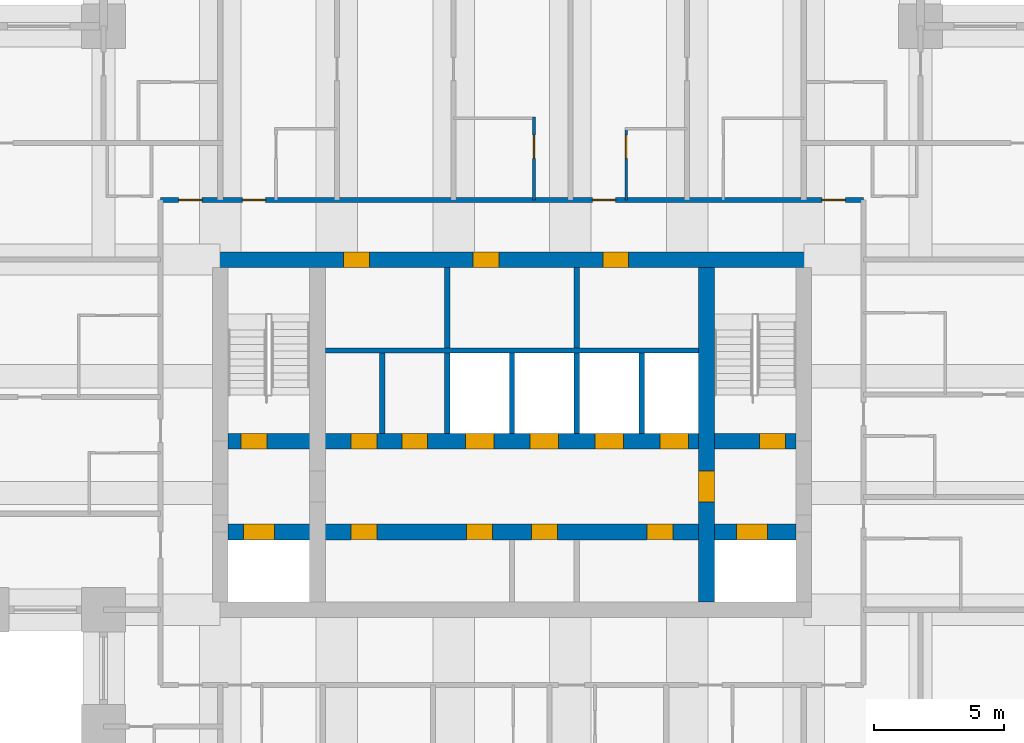
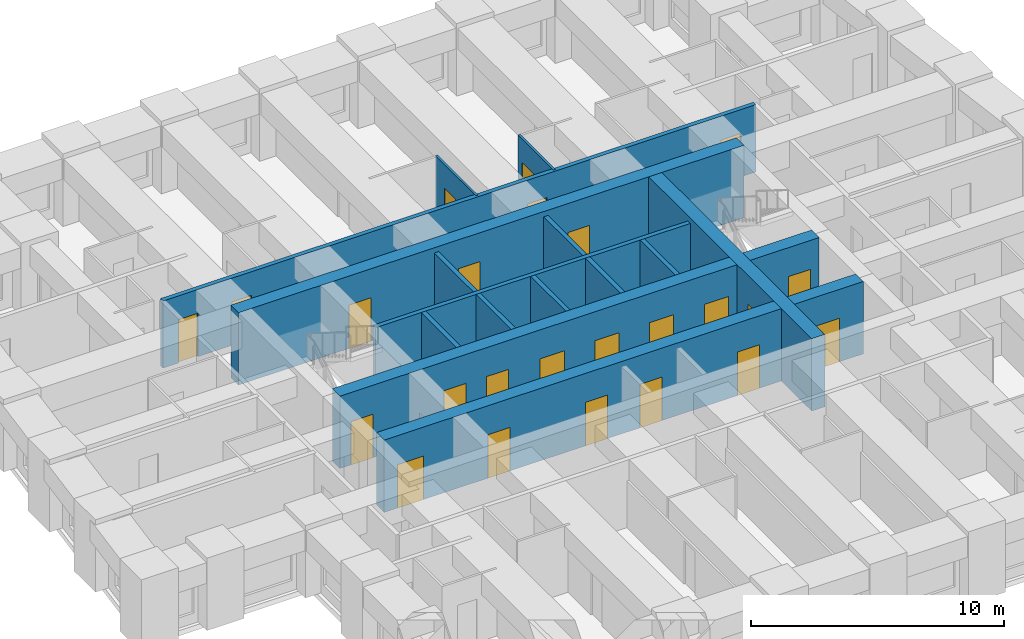
# One storey, part 4 of 8: 24 doors, 15 walls, 24 openings.
"""IFC4 building model written with IfcOpenShell, lengths in metres."""

from ifc_helpers import new_model, si_unit, direction, frame, frame_2d, origin, place, context, subcontext, project, spatial, rectangle, extrude, material, layer, layer_set, type_object, element, fill, save


model = new_model("IFC4")

# Units and contexts
model_context = context("Model", 3, precision=1e-05, world=origin(), true_north=direction((0.0, 1.0)))
body_context = subcontext(model_context, "Body", "Model", "MODEL_VIEW")
ifc_project = project(units=[si_unit("LENGTHUNIT", "METRE"), si_unit("AREAUNIT", "SQUARE_METRE"), si_unit("VOLUMEUNIT", "CUBIC_METRE"), si_unit("PLANEANGLEUNIT", "RADIAN"), si_unit("MASSUNIT", "GRAM", prefix="KILO")], contexts=[model_context])

# Site, building, storey
site_placement = place(None, origin())
site = spatial("IfcSite", under=ifc_project, at=site_placement, CompositionType="ELEMENT")
building_placement = place(site_placement, origin())
building = spatial("IfcBuilding", under=site, at=building_placement, Name="Kilele Tower Hotel", CompositionType="ELEMENT")
storey_placement = place(building_placement, frame((0.0, 0.0, 204.39990234375)))
storey = spatial("IfcBuildingStorey", under=building, at=storey_placement, Name="L53", CompositionType="ELEMENT", Elevation=204.39990234375)

# Wall, opening, door
ifc_material_1 = material(Name="Moisture-resistant board")
ifc_layer_1 = layer(ifc_material_1, 0.10009765625)
ifc_layer_set_1 = layer_set([ifc_layer_1], Name="Moisture-resistant board")
wall_type_1 = type_object("IfcWallType", Name="Bathroom partition 100", PredefinedType="PLUMBINGWALL", material=ifc_layer_set_1)
wall_1_placement = place(storey_placement, frame((25.60009765625, 29.300048828125, 0.0), z_axis=(0.0, 0.0, 1.0), x_axis=(0.0, 1.0, 0.0)))
wall_1 = element("IfcWall", 1, at=wall_1_placement, inside=storey, type_object=wall_type_1, Name="Bathroom partition 100 L53", PredefinedType="PLUMBINGWALL", context=body_context, shape_type="SweptSolid", body=[
    extrude(rectangle(XDim=3.199951171875, YDim=0.10009765625, at=frame_2d((1.60009765625, 0.0))), origin(), (0.0, 0.0, 1.0), 3.25),
])
opening_1_placement = place(wall_1_placement, frame((2.5, 0.0, 0.0), z_axis=(0.0, 0.0, 1.0), x_axis=(-1.0, 0.0, 0.0)))
opening_1 = element("IfcOpeningElement", 2, at=opening_1_placement, cuts=wall_1, Name="Opening D2A", PredefinedType="OPENING", context=body_context, shape_type="SweptSolid", body=[
    extrude(rectangle(XDim=0.89990234375, YDim=2.10009765625, at=frame_2d((0.449951171875, 1.050048828125))), frame((0.0, 0.06005859375, 0.0), z_axis=(0.0, -1.0, 0.0), x_axis=(1.0, 0.0, 0.0)), (0.0, 0.0, 1.0), 0.1201171875),
])
ifc_material_2 = material(Name="Timber door leaf in hardwood frame", Category="wood")
door_type_1 = type_object("IfcDoorType", Name="Bathroom door 900", OperationType="SINGLE_SWING_LEFT", PredefinedType="DOOR", material=ifc_material_2)
door_1_placement = place(opening_1_placement, origin())
door_1 = element("IfcDoor", 3, at=door_1_placement, inside=storey, type_object=door_type_1, Name="Bathroom door 5311B", OperationType="SINGLE_SWING_RIGHT", OverallHeight=2.10009765625, OverallWidth=0.89990234375, PredefinedType="DOOR", context=body_context, shape_type="SweptSolid", body=[
    extrude(rectangle(XDim=0.89990234375, YDim=2.10009765625, at=frame_2d((0.449951171875, 1.050048828125))), frame((0.0, 0.02490234375, 0.0), z_axis=(0.0, -1.0, 0.0), x_axis=(1.0, 0.0, 0.0)), (0.0, 0.0, 1.0), 0.050048828125),
])
fill(opening_1, door_1)

wall_2_placement = place(storey_placement, frame((29.14990234375, 29.300048828125, 0.0), z_axis=(0.0, 0.0, 1.0), x_axis=(0.0, 1.0, 0.0)))
wall_2 = element("IfcWall", 4, at=wall_2_placement, inside=storey, type_object=wall_type_1, Name="Bathroom partition 100 L53", PredefinedType="PLUMBINGWALL", context=body_context, shape_type="SweptSolid", body=[
    extrude(rectangle(XDim=2.800048828125, YDim=0.10009765625, at=frame_2d((1.39990234375, 0.0))), origin(), (0.0, 0.0, 1.0), 3.25),
])
opening_2_placement = place(wall_2_placement, frame((1.60009765625, 0.0, 0.0)))
opening_2 = element("IfcOpeningElement", 5, at=opening_2_placement, cuts=wall_2, Name="Opening D2A", PredefinedType="OPENING", context=body_context, shape_type="SweptSolid", body=[
    extrude(rectangle(XDim=0.89990234375, YDim=2.10009765625, at=frame_2d((0.449951171875, 1.050048828125))), frame((0.0, 0.06005859375, 0.0), z_axis=(0.0, -1.0, 0.0), x_axis=(1.0, 0.0, 0.0)), (0.0, 0.0, 1.0), 0.1201171875),
])
door_2_placement = place(opening_2_placement, origin())
door_2 = element("IfcDoor", 6, at=door_2_placement, inside=storey, type_object=door_type_1, Name="Bathroom door 5312B", OperationType="SINGLE_SWING_LEFT", OverallHeight=2.10009765625, OverallWidth=0.89990234375, PredefinedType="DOOR", context=body_context, shape_type="SweptSolid", body=[
    extrude(rectangle(XDim=0.89990234375, YDim=2.10009765625, at=frame_2d((0.449951171875, 1.050048828125))), frame((0.0, 0.02490234375, 0.0), z_axis=(0.0, -1.0, 0.0), x_axis=(1.0, 0.0, 0.0)), (0.0, 0.0, 1.0), 0.050048828125),
])
fill(opening_2, door_2)

# Wall, openings, doors
ifc_material_3 = material(Name="Concrete C70/85", Category="concrete")
ifc_layer_2 = layer(ifc_material_3, 0.60009765625)
ifc_layer_set_2 = layer_set([ifc_layer_2], Name="Concrete C70/85")
wall_type_2 = type_object("IfcWallType", Name="Core wall 600 C70/85", PredefinedType="SHEAR", material=ifc_layer_set_2)
wall_3_placement = place(storey_placement, frame((36.300048828125, 27.0, 0.0), z_axis=(0.0, 0.0, 1.0), x_axis=(-1.0, 0.0, 0.0)))
wall_3 = element("IfcWall", 7, at=wall_3_placement, inside=storey, type_object=wall_type_2, Name="Core wall N L53", PredefinedType="SHEAR", context=body_context, shape_type="SweptSolid", body=[
    extrude(rectangle(XDim=23.10009765625, YDim=0.60009765625, at=frame_2d((11.550048828125, 0.0))), origin(), (0.0, 0.0, 1.0), 3.5),
])
opening_3_placement = place(wall_3_placement, frame((17.050048828125, 0.0, 0.0)))
opening_3 = element("IfcOpeningElement", 8, at=opening_3_placement, cuts=wall_3, Name="Opening D6", PredefinedType="OPENING", context=body_context, shape_type="SweptSolid", body=[
    extrude(rectangle(XDim=1.0, YDim=2.10009765625, at=frame_2d((0.5, 1.050048828125))), frame((0.0, 0.31005859375, 0.0), z_axis=(0.0, -1.0, 0.0), x_axis=(1.0, 0.0, 0.0)), (0.0, 0.0, 1.0), 0.6201171875),
])
opening_4_placement = place(wall_3_placement, frame((12.050048828125, 0.0, 0.0)))
opening_4 = element("IfcOpeningElement", 9, at=opening_4_placement, cuts=wall_3, Name="Opening D6", PredefinedType="OPENING", context=body_context, shape_type="SweptSolid", body=[
    extrude(rectangle(XDim=1.0, YDim=2.10009765625, at=frame_2d((0.5, 1.050048828125))), frame((0.0, 0.31005859375, 0.0), z_axis=(0.0, -1.0, 0.0), x_axis=(1.0, 0.0, 0.0)), (0.0, 0.0, 1.0), 0.6201171875),
])
opening_5_placement = place(wall_3_placement, frame((7.050048828125, 0.0, 0.0)))
opening_5 = element("IfcOpeningElement", 10, at=opening_5_placement, cuts=wall_3, Name="Opening D6", PredefinedType="OPENING", context=body_context, shape_type="SweptSolid", body=[
    extrude(rectangle(XDim=1.0, YDim=2.10009765625, at=frame_2d((0.5, 1.050048828125))), frame((0.0, 0.31005859375, 0.0), z_axis=(0.0, -1.0, 0.0), x_axis=(1.0, 0.0, 0.0)), (0.0, 0.0, 1.0), 0.6201171875),
])
ifc_material_4 = material(Name="Timber door leaf in hardwood frame", Category="wood")
door_type_2 = type_object("IfcDoorType", Name="Riser door 1000", OperationType="SINGLE_SWING_LEFT", PredefinedType="DOOR", material=ifc_material_4)
door_3_placement = place(opening_3_placement, origin())
door_3 = element("IfcDoor", 11, at=door_3_placement, inside=storey, type_object=door_type_2, Name="Service riser door L53", OperationType="SINGLE_SWING_RIGHT", OverallHeight=2.10009765625, OverallWidth=1.0, PredefinedType="DOOR", context=body_context, shape_type="SweptSolid", body=[
    extrude(rectangle(XDim=1.0, YDim=2.10009765625, at=frame_2d((0.5, 1.050048828125))), frame((0.0, 0.2998046875, 0.0), z_axis=(0.0, -1.0, 0.0), x_axis=(1.0, 0.0, 0.0)), (0.0, 0.0, 1.0), 0.599609375),
])
fill(opening_3, door_3)
door_4_placement = place(opening_4_placement, origin())
door_4 = element("IfcDoor", 12, at=door_4_placement, inside=storey, type_object=door_type_2, Name="Housekeeping store door L53", OperationType="SINGLE_SWING_RIGHT", OverallHeight=2.10009765625, OverallWidth=1.0, PredefinedType="DOOR", context=body_context, shape_type="SweptSolid", body=[
    extrude(rectangle(XDim=1.0, YDim=2.10009765625, at=frame_2d((0.5, 1.050048828125))), frame((0.0, 0.2998046875, 0.0), z_axis=(0.0, -1.0, 0.0), x_axis=(1.0, 0.0, 0.0)), (0.0, 0.0, 1.0), 0.599609375),
])
fill(opening_4, door_4)
door_5_placement = place(opening_5_placement, origin())
door_5 = element("IfcDoor", 13, at=door_5_placement, inside=storey, type_object=door_type_2, Name="Electrical riser door L53", OperationType="SINGLE_SWING_RIGHT", OverallHeight=2.10009765625, OverallWidth=1.0, PredefinedType="DOOR", context=body_context, shape_type="SweptSolid", body=[
    extrude(rectangle(XDim=1.0, YDim=2.10009765625, at=frame_2d((0.5, 1.050048828125))), frame((0.0, 0.2998046875, 0.0), z_axis=(0.0, -1.0, 0.0), x_axis=(1.0, 0.0, 0.0)), (0.0, 0.0, 1.0), 0.599609375),
])
fill(opening_5, door_5)

# Wall, opening, door
wall_4_placement = place(storey_placement, frame((32.25, 13.800048828125, 0.0), z_axis=(0.0, 0.0, 1.0), x_axis=(0.0, 1.0, 0.0)))
wall_4 = element("IfcWall", 14, at=wall_4_placement, inside=storey, type_object=wall_type_2, Name="Core wall IE L53", PredefinedType="SHEAR", context=body_context, shape_type="SweptSolid", body=[
    extrude(rectangle(XDim=12.89990234375, YDim=0.60009765625, at=frame_2d((6.449951171875, 0.0))), origin(), (0.0, 0.0, 1.0), 3.5),
])
opening_6_placement = place(wall_4_placement, frame((5.050048828125, 0.0, 0.0), z_axis=(0.0, 0.0, 1.0), x_axis=(-1.0, 0.0, 0.0)))
opening_6 = element("IfcOpeningElement", 15, at=opening_6_placement, cuts=wall_4, Name="Opening D4", PredefinedType="OPENING", context=body_context, shape_type="SweptSolid", body=[
    extrude(rectangle(XDim=1.199951171875, YDim=2.10009765625, at=frame_2d((0.60009765625, 1.050048828125))), frame((0.0, 0.31005859375, 0.0), z_axis=(0.0, -1.0, 0.0), x_axis=(1.0, 0.0, 0.0)), (0.0, 0.0, 1.0), 0.6201171875),
])
ifc_material_5 = material(Name="Timber door leaf in hardwood frame", Category="wood")
door_type_3 = type_object("IfcDoorType", Name="Firefighting lobby door 1200", OperationType="SINGLE_SWING_LEFT", PredefinedType="DOOR", material=ifc_material_5)
door_6_placement = place(opening_6_placement, origin())
door_6 = element("IfcDoor", 16, at=door_6_placement, inside=storey, type_object=door_type_3, Name="Lobby door L53", OperationType="SINGLE_SWING_RIGHT", OverallHeight=2.10009765625, OverallWidth=1.199951171875, PredefinedType="DOOR", context=body_context, shape_type="SweptSolid", body=[
    extrude(rectangle(XDim=1.199951171875, YDim=2.10009765625, at=frame_2d((0.60009765625, 1.050048828125))), frame((0.0, 0.2998046875, 0.0), z_axis=(0.0, -1.0, 0.0), x_axis=(1.0, 0.0, 0.0)), (0.0, 0.0, 1.0), 0.599609375),
])
fill(opening_6, door_6)

# Wall, openings, doors
wall_5_placement = place(storey_placement, frame((13.800048828125, 16.5, 0.0), z_axis=(0.0, 0.0, 1.0), x_axis=(1.0, 0.0, 0.0)))
wall_5 = element("IfcWall", 17, at=wall_5_placement, inside=storey, type_object=wall_type_2, Name="Core wall LS L53", PredefinedType="SHEAR", context=body_context, shape_type="SweptSolid", body=[
    extrude(rectangle(XDim=21.89990234375, YDim=0.60009765625, at=frame_2d((10.949951171875, 0.0))), origin(), (0.0, 0.0, 1.0), 3.5),
])
opening_7_placement = place(wall_5_placement, frame((5.75, 0.0, 0.0), z_axis=(0.0, 0.0, 1.0), x_axis=(-1.0, 0.0, 0.0)))
opening_7 = element("IfcOpeningElement", 18, at=opening_7_placement, cuts=wall_5, Name="Opening D11", PredefinedType="OPENING", context=body_context, shape_type="SweptSolid", body=[
    extrude(rectangle(XDim=1.0, YDim=2.10009765625, at=frame_2d((0.5, 1.050048828125))), frame((0.0, 0.31005859375, 0.0), z_axis=(0.0, -1.0, 0.0), x_axis=(1.0, 0.0, 0.0)), (0.0, 0.0, 1.0), 0.6201171875),
])
opening_8_placement = place(wall_5_placement, frame((10.199951171875, 0.0, 0.0), z_axis=(0.0, 0.0, 1.0), x_axis=(-1.0, 0.0, 0.0)))
opening_8 = element("IfcOpeningElement", 19, at=opening_8_placement, cuts=wall_5, Name="Opening D11", PredefinedType="OPENING", context=body_context, shape_type="SweptSolid", body=[
    extrude(rectangle(XDim=1.0, YDim=2.10009765625, at=frame_2d((0.5, 1.050048828125))), frame((0.0, 0.31005859375, 0.0), z_axis=(0.0, -1.0, 0.0), x_axis=(1.0, 0.0, 0.0)), (0.0, 0.0, 1.0), 0.6201171875),
])
opening_9_placement = place(wall_5_placement, frame((12.699951171875, 0.0, 0.0), z_axis=(0.0, 0.0, 1.0), x_axis=(-1.0, 0.0, 0.0)))
opening_9 = element("IfcOpeningElement", 20, at=opening_9_placement, cuts=wall_5, Name="Opening D11", PredefinedType="OPENING", context=body_context, shape_type="SweptSolid", body=[
    extrude(rectangle(XDim=1.0, YDim=2.10009765625, at=frame_2d((0.5, 1.050048828125))), frame((0.0, 0.31005859375, 0.0), z_axis=(0.0, -1.0, 0.0), x_axis=(1.0, 0.0, 0.0)), (0.0, 0.0, 1.0), 0.6201171875),
])
opening_10_placement = place(wall_5_placement, frame((17.14990234375, 0.0, 0.0), z_axis=(0.0, 0.0, 1.0), x_axis=(-1.0, 0.0, 0.0)))
opening_10 = element("IfcOpeningElement", 21, at=opening_10_placement, cuts=wall_5, Name="Opening D11", PredefinedType="OPENING", context=body_context, shape_type="SweptSolid", body=[
    extrude(rectangle(XDim=1.0, YDim=2.10009765625, at=frame_2d((0.5, 1.050048828125))), frame((0.0, 0.31005859375, 0.0), z_axis=(0.0, -1.0, 0.0), x_axis=(1.0, 0.0, 0.0)), (0.0, 0.0, 1.0), 0.6201171875),
])
opening_11_placement = place(wall_5_placement, frame((0.60009765625, 0.0, 0.0)))
opening_11 = element("IfcOpeningElement", 22, at=opening_11_placement, cuts=wall_5, Name="Opening LD2", PredefinedType="OPENING", context=body_context, shape_type="SweptSolid", body=[
    extrude(rectangle(XDim=1.199951171875, YDim=2.10009765625, at=frame_2d((0.60009765625, 1.050048828125))), frame((0.0, 0.31005859375, 0.0), z_axis=(0.0, -1.0, 0.0), x_axis=(1.0, 0.0, 0.0)), (0.0, 0.0, 1.0), 0.6201171875),
])
opening_12_placement = place(wall_5_placement, frame((19.60009765625, 0.0, 0.0)))
opening_12 = element("IfcOpeningElement", 23, at=opening_12_placement, cuts=wall_5, Name="Opening LD2", PredefinedType="OPENING", context=body_context, shape_type="SweptSolid", body=[
    extrude(rectangle(XDim=1.199951171875, YDim=2.10009765625, at=frame_2d((0.60009765625, 1.050048828125))), frame((0.0, 0.31005859375, 0.0), z_axis=(0.0, -1.0, 0.0), x_axis=(1.0, 0.0, 0.0)), (0.0, 0.0, 1.0), 0.6201171875),
])
ifc_material_6 = material(Name="Timber door leaf in hardwood frame", Category="wood")
door_type_4 = type_object("IfcDoorType", Name="Core store door 1000", OperationType="SINGLE_SWING_LEFT", PredefinedType="DOOR", material=ifc_material_6)
door_7_placement = place(opening_7_placement, origin())
door_7 = element("IfcDoor", 24, at=door_7_placement, inside=storey, type_object=door_type_4, Name="Core room door L1 L53", OperationType="SINGLE_SWING_RIGHT", OverallHeight=2.10009765625, OverallWidth=1.0, PredefinedType="DOOR", context=body_context, shape_type="SweptSolid", body=[
    extrude(rectangle(XDim=1.0, YDim=2.10009765625, at=frame_2d((0.5, 1.050048828125))), frame((0.0, 0.2998046875, 0.0), z_axis=(0.0, -1.0, 0.0), x_axis=(1.0, 0.0, 0.0)), (0.0, 0.0, 1.0), 0.599609375),
])
fill(opening_7, door_7)
door_8_placement = place(opening_8_placement, origin())
door_8 = element("IfcDoor", 25, at=door_8_placement, inside=storey, type_object=door_type_4, Name="Core room door L3 L53", OperationType="SINGLE_SWING_LEFT", OverallHeight=2.10009765625, OverallWidth=1.0, PredefinedType="DOOR", context=body_context, shape_type="SweptSolid", body=[
    extrude(rectangle(XDim=1.0, YDim=2.10009765625, at=frame_2d((0.5, 1.050048828125))), frame((0.0, 0.2998046875, 0.0), z_axis=(0.0, -1.0, 0.0), x_axis=(1.0, 0.0, 0.0)), (0.0, 0.0, 1.0), 0.599609375),
])
fill(opening_8, door_8)
door_9_placement = place(opening_9_placement, origin())
door_9 = element("IfcDoor", 26, at=door_9_placement, inside=storey, type_object=door_type_4, Name="Core room door M1 L53", OperationType="SINGLE_SWING_LEFT", OverallHeight=2.10009765625, OverallWidth=1.0, PredefinedType="DOOR", context=body_context, shape_type="SweptSolid", body=[
    extrude(rectangle(XDim=1.0, YDim=2.10009765625, at=frame_2d((0.5, 1.050048828125))), frame((0.0, 0.2998046875, 0.0), z_axis=(0.0, -1.0, 0.0), x_axis=(1.0, 0.0, 0.0)), (0.0, 0.0, 1.0), 0.599609375),
])
fill(opening_9, door_9)
door_10_placement = place(opening_10_placement, origin())
door_10 = element("IfcDoor", 27, at=door_10_placement, inside=storey, type_object=door_type_4, Name="Core room door M3 L53", OperationType="SINGLE_SWING_LEFT", OverallHeight=2.10009765625, OverallWidth=1.0, PredefinedType="DOOR", context=body_context, shape_type="SweptSolid", body=[
    extrude(rectangle(XDim=1.0, YDim=2.10009765625, at=frame_2d((0.5, 1.050048828125))), frame((0.0, 0.2998046875, 0.0), z_axis=(0.0, -1.0, 0.0), x_axis=(1.0, 0.0, 0.0)), (0.0, 0.0, 1.0), 0.599609375),
])
fill(opening_10, door_10)
ifc_material_7 = material(Name="Steel lift landing door", Category="steel")
door_type_5 = type_object("IfcDoorType", Name="Firefighting lift landing door 1200", OperationType="SLIDING_TO_LEFT", PredefinedType="DOOR", material=ifc_material_7)
door_11_placement = place(opening_11_placement, origin())
door_11 = element("IfcDoor", 28, at=door_11_placement, inside=storey, type_object=door_type_5, Name="Landing door FFW L53", OperationType="SLIDING_TO_LEFT", OverallHeight=2.10009765625, OverallWidth=1.199951171875, PredefinedType="DOOR", context=body_context, shape_type="SweptSolid", body=[
    extrude(rectangle(XDim=1.199951171875, YDim=2.10009765625, at=frame_2d((0.60009765625, 1.050048828125))), frame((0.0, 0.2998046875, 0.0), z_axis=(0.0, -1.0, 0.0), x_axis=(1.0, 0.0, 0.0)), (0.0, 0.0, 1.0), 0.599609375),
])
fill(opening_11, door_11)
door_12_placement = place(opening_12_placement, origin())
door_12 = element("IfcDoor", 29, at=door_12_placement, inside=storey, type_object=door_type_5, Name="Landing door FFE L53", OperationType="SLIDING_TO_LEFT", OverallHeight=2.10009765625, OverallWidth=1.199951171875, PredefinedType="DOOR", context=body_context, shape_type="SweptSolid", body=[
    extrude(rectangle(XDim=1.199951171875, YDim=2.10009765625, at=frame_2d((0.60009765625, 1.050048828125))), frame((0.0, 0.2998046875, 0.0), z_axis=(0.0, -1.0, 0.0), x_axis=(1.0, 0.0, 0.0)), (0.0, 0.0, 1.0), 0.599609375),
])
fill(opening_12, door_12)

wall_6_placement = place(storey_placement, frame((13.800048828125, 20.0, 0.0), z_axis=(0.0, 0.0, 1.0), x_axis=(1.0, 0.0, 0.0)))
wall_6 = element("IfcWall", 30, at=wall_6_placement, inside=storey, type_object=wall_type_2, Name="Core wall LN L53", PredefinedType="SHEAR", context=body_context, shape_type="SweptSolid", body=[
    extrude(rectangle(XDim=21.89990234375, YDim=0.60009765625, at=frame_2d((10.949951171875, 0.0))), origin(), (0.0, 0.0, 1.0), 3.5),
])
opening_13_placement = place(wall_6_placement, frame((0.5, 0.0, 0.0)))
opening_13 = element("IfcOpeningElement", 31, at=opening_13_placement, cuts=wall_6, Name="Opening D5", PredefinedType="OPENING", context=body_context, shape_type="SweptSolid", body=[
    extrude(rectangle(XDim=1.0, YDim=2.10009765625, at=frame_2d((0.5, 1.050048828125))), frame((0.0, 0.31005859375, 0.0), z_axis=(0.0, -1.0, 0.0), x_axis=(1.0, 0.0, 0.0)), (0.0, 0.0, 1.0), 0.6201171875),
])
opening_14_placement = place(wall_6_placement, frame((20.5, 0.0, 0.0)))
opening_14 = element("IfcOpeningElement", 32, at=opening_14_placement, cuts=wall_6, Name="Opening D5", PredefinedType="OPENING", context=body_context, shape_type="SweptSolid", body=[
    extrude(rectangle(XDim=1.0, YDim=2.10009765625, at=frame_2d((0.5, 1.050048828125))), frame((0.0, 0.31005859375, 0.0), z_axis=(0.0, -1.0, 0.0), x_axis=(1.0, 0.0, 0.0)), (0.0, 0.0, 1.0), 0.6201171875),
])
opening_15_placement = place(wall_6_placement, frame((9.14990234375, 0.0, 0.0)))
opening_15 = element("IfcOpeningElement", 33, at=opening_15_placement, cuts=wall_6, Name="Opening LD1", PredefinedType="OPENING", context=body_context, shape_type="SweptSolid", body=[
    extrude(rectangle(XDim=1.10009765625, YDim=2.10009765625, at=frame_2d((0.550048828125, 1.050048828125))), frame((0.0, 0.31005859375, 0.0), z_axis=(0.0, -1.0, 0.0), x_axis=(1.0, 0.0, 0.0)), (0.0, 0.0, 1.0), 0.6201171875),
])
opening_16_placement = place(wall_6_placement, frame((11.64990234375, 0.0, 0.0)))
opening_16 = element("IfcOpeningElement", 34, at=opening_16_placement, cuts=wall_6, Name="Opening LD1", PredefinedType="OPENING", context=body_context, shape_type="SweptSolid", body=[
    extrude(rectangle(XDim=1.10009765625, YDim=2.10009765625, at=frame_2d((0.550048828125, 1.050048828125))), frame((0.0, 0.31005859375, 0.0), z_axis=(0.0, -1.0, 0.0), x_axis=(1.0, 0.0, 0.0)), (0.0, 0.0, 1.0), 0.6201171875),
])
opening_17_placement = place(wall_6_placement, frame((14.14990234375, 0.0, 0.0)))
opening_17 = element("IfcOpeningElement", 35, at=opening_17_placement, cuts=wall_6, Name="Opening LD1", PredefinedType="OPENING", context=body_context, shape_type="SweptSolid", body=[
    extrude(rectangle(XDim=1.10009765625, YDim=2.10009765625, at=frame_2d((0.550048828125, 1.050048828125))), frame((0.0, 0.31005859375, 0.0), z_axis=(0.0, -1.0, 0.0), x_axis=(1.0, 0.0, 0.0)), (0.0, 0.0, 1.0), 0.6201171875),
])
opening_18_placement = place(wall_6_placement, frame((16.64990234375, 0.0, 0.0)))
opening_18 = element("IfcOpeningElement", 36, at=opening_18_placement, cuts=wall_6, Name="Opening LD1", PredefinedType="OPENING", context=body_context, shape_type="SweptSolid", body=[
    extrude(rectangle(XDim=1.10009765625, YDim=2.10009765625, at=frame_2d((0.550048828125, 1.050048828125))), frame((0.0, 0.31005859375, 0.0), z_axis=(0.0, -1.0, 0.0), x_axis=(1.0, 0.0, 0.0)), (0.0, 0.0, 1.0), 0.6201171875),
])
opening_19_placement = place(wall_6_placement, frame((4.75, 0.0, 0.0)))
opening_19 = element("IfcOpeningElement", 37, at=opening_19_placement, cuts=wall_6, Name="Opening D11", PredefinedType="OPENING", context=body_context, shape_type="SweptSolid", body=[
    extrude(rectangle(XDim=1.0, YDim=2.10009765625, at=frame_2d((0.5, 1.050048828125))), frame((0.0, 0.31005859375, 0.0), z_axis=(0.0, -1.0, 0.0), x_axis=(1.0, 0.0, 0.0)), (0.0, 0.0, 1.0), 0.6201171875),
])
opening_20_placement = place(wall_6_placement, frame((6.699951171875, 0.0, 0.0)))
opening_20 = element("IfcOpeningElement", 38, at=opening_20_placement, cuts=wall_6, Name="Opening D11", PredefinedType="OPENING", context=body_context, shape_type="SweptSolid", body=[
    extrude(rectangle(XDim=1.0, YDim=2.10009765625, at=frame_2d((0.5, 1.050048828125))), frame((0.0, 0.31005859375, 0.0), z_axis=(0.0, -1.0, 0.0), x_axis=(1.0, 0.0, 0.0)), (0.0, 0.0, 1.0), 0.6201171875),
])
door_13_placement = place(opening_19_placement, origin())
door_13 = element("IfcDoor", 39, at=door_13_placement, inside=storey, type_object=door_type_4, Name="Core room door S1 L53", OperationType="SINGLE_SWING_RIGHT", OverallHeight=2.10009765625, OverallWidth=1.0, PredefinedType="DOOR", context=body_context, shape_type="SweptSolid", body=[
    extrude(rectangle(XDim=1.0, YDim=2.10009765625, at=frame_2d((0.5, 1.050048828125))), frame((0.0, 0.2998046875, 0.0), z_axis=(0.0, -1.0, 0.0), x_axis=(1.0, 0.0, 0.0)), (0.0, 0.0, 1.0), 0.599609375),
])
fill(opening_19, door_13)
door_14_placement = place(opening_20_placement, origin())
door_14 = element("IfcDoor", 40, at=door_14_placement, inside=storey, type_object=door_type_4, Name="Core room door S2 L53", OperationType="SINGLE_SWING_LEFT", OverallHeight=2.10009765625, OverallWidth=1.0, PredefinedType="DOOR", context=body_context, shape_type="SweptSolid", body=[
    extrude(rectangle(XDim=1.0, YDim=2.10009765625, at=frame_2d((0.5, 1.050048828125))), frame((0.0, 0.2998046875, 0.0), z_axis=(0.0, -1.0, 0.0), x_axis=(1.0, 0.0, 0.0)), (0.0, 0.0, 1.0), 0.599609375),
])
fill(opening_20, door_14)
ifc_material_8 = material(Name="Steel lift landing door", Category="steel")
door_type_6 = type_object("IfcDoorType", Name="Lift landing door 1100", OperationType="SLIDING_TO_LEFT", PredefinedType="DOOR", material=ifc_material_8)
door_15_placement = place(opening_15_placement, origin())
door_15 = element("IfcDoor", 41, at=door_15_placement, inside=storey, type_object=door_type_6, Name="Landing door H1 L53", OperationType="SLIDING_TO_LEFT", OverallHeight=2.10009765625, OverallWidth=1.10009765625, PredefinedType="DOOR", context=body_context, shape_type="SweptSolid", body=[
    extrude(rectangle(XDim=1.10009765625, YDim=2.10009765625, at=frame_2d((0.550048828125, 1.050048828125))), frame((0.0, 0.2998046875, 0.0), z_axis=(0.0, -1.0, 0.0), x_axis=(1.0, 0.0, 0.0)), (0.0, 0.0, 1.0), 0.599609375),
])
fill(opening_15, door_15)
door_16_placement = place(opening_16_placement, origin())
door_16 = element("IfcDoor", 42, at=door_16_placement, inside=storey, type_object=door_type_6, Name="Landing door H2 L53", OperationType="SLIDING_TO_LEFT", OverallHeight=2.10009765625, OverallWidth=1.10009765625, PredefinedType="DOOR", context=body_context, shape_type="SweptSolid", body=[
    extrude(rectangle(XDim=1.10009765625, YDim=2.10009765625, at=frame_2d((0.550048828125, 1.050048828125))), frame((0.0, 0.2998046875, 0.0), z_axis=(0.0, -1.0, 0.0), x_axis=(1.0, 0.0, 0.0)), (0.0, 0.0, 1.0), 0.599609375),
])
fill(opening_16, door_16)
door_17_placement = place(opening_17_placement, origin())
door_17 = element("IfcDoor", 43, at=door_17_placement, inside=storey, type_object=door_type_6, Name="Landing door H3 L53", OperationType="SLIDING_TO_LEFT", OverallHeight=2.10009765625, OverallWidth=1.10009765625, PredefinedType="DOOR", context=body_context, shape_type="SweptSolid", body=[
    extrude(rectangle(XDim=1.10009765625, YDim=2.10009765625, at=frame_2d((0.550048828125, 1.050048828125))), frame((0.0, 0.2998046875, 0.0), z_axis=(0.0, -1.0, 0.0), x_axis=(1.0, 0.0, 0.0)), (0.0, 0.0, 1.0), 0.599609375),
])
fill(opening_17, door_17)
door_18_placement = place(opening_18_placement, origin())
door_18 = element("IfcDoor", 44, at=door_18_placement, inside=storey, type_object=door_type_6, Name="Landing door G1 L53", OperationType="SLIDING_TO_LEFT", OverallHeight=2.10009765625, OverallWidth=1.10009765625, PredefinedType="DOOR", context=body_context, shape_type="SweptSolid", body=[
    extrude(rectangle(XDim=1.10009765625, YDim=2.10009765625, at=frame_2d((0.550048828125, 1.050048828125))), frame((0.0, 0.2998046875, 0.0), z_axis=(0.0, -1.0, 0.0), x_axis=(1.0, 0.0, 0.0)), (0.0, 0.0, 1.0), 0.599609375),
])
fill(opening_18, door_18)
ifc_material_9 = material(Name="Timber door leaf in hardwood frame", Category="wood")
door_type_7 = type_object("IfcDoorType", Name="Stair door 1000", OperationType="SINGLE_SWING_LEFT", PredefinedType="DOOR", material=ifc_material_9)
door_19_placement = place(opening_13_placement, origin())
door_19 = element("IfcDoor", 45, at=door_19_placement, inside=storey, type_object=door_type_7, Name="Stair 1 door L53", OperationType="SINGLE_SWING_LEFT", OverallHeight=2.10009765625, OverallWidth=1.0, PredefinedType="DOOR", context=body_context, shape_type="SweptSolid", body=[
    extrude(rectangle(XDim=1.0, YDim=2.10009765625, at=frame_2d((0.5, 1.050048828125))), frame((0.0, 0.2998046875, 0.0), z_axis=(0.0, -1.0, 0.0), x_axis=(1.0, 0.0, 0.0)), (0.0, 0.0, 1.0), 0.599609375),
])
fill(opening_13, door_19)
door_20_placement = place(opening_14_placement, origin())
door_20 = element("IfcDoor", 46, at=door_20_placement, inside=storey, type_object=door_type_7, Name="Stair 2 door L53", OperationType="SINGLE_SWING_RIGHT", OverallHeight=2.10009765625, OverallWidth=1.0, PredefinedType="DOOR", context=body_context, shape_type="SweptSolid", body=[
    extrude(rectangle(XDim=1.0, YDim=2.10009765625, at=frame_2d((0.5, 1.050048828125))), frame((0.0, 0.2998046875, 0.0), z_axis=(0.0, -1.0, 0.0), x_axis=(1.0, 0.0, 0.0)), (0.0, 0.0, 1.0), 0.599609375),
])
fill(opening_14, door_20)

ifc_material_10 = material(Name="Blockwork, plastered both sides", Category="masonry")
ifc_layer_3 = layer(ifc_material_10, 0.199951171875)
ifc_layer_set_3 = layer_set([ifc_layer_3], Name="Blockwork, plastered both sides")
wall_type_3 = type_object("IfcWallType", Name="Corridor wall 200", PredefinedType="PARTITIONING", material=ifc_layer_set_3)
wall_7_placement = place(storey_placement, frame((11.199951171875, 29.300048828125, 0.0), z_axis=(0.0, 0.0, 1.0), x_axis=(1.0, 0.0, 0.0)))
wall_7 = element("IfcWall", 47, at=wall_7_placement, inside=storey, type_object=wall_type_3, Name="Corridor wall 200 L53", PredefinedType="PARTITIONING", context=body_context, shape_type="SweptSolid", body=[
    extrude(rectangle(XDim=27.10009765625, YDim=0.199951171875, at=frame_2d((13.550048828125, 0.0))), origin(), (0.0, 0.0, 1.0), 3.25),
])
opening_21_placement = place(wall_7_placement, frame((3.14990234375, 0.0, 0.0)))
opening_21 = element("IfcOpeningElement", 48, at=opening_21_placement, cuts=wall_7, Name="Opening D1", PredefinedType="OPENING", context=body_context, shape_type="SweptSolid", body=[
    extrude(rectangle(XDim=0.89990234375, YDim=2.10009765625, at=frame_2d((0.449951171875, 1.050048828125))), frame((0.0, 0.10986328125, 0.0), z_axis=(0.0, -1.0, 0.0), x_axis=(1.0, 0.0, 0.0)), (0.0, 0.0, 1.0), 0.219970703125),
])
opening_22_placement = place(wall_7_placement, frame((16.64990234375, 0.0, 0.0)))
opening_22 = element("IfcOpeningElement", 49, at=opening_22_placement, cuts=wall_7, Name="Opening D1", PredefinedType="OPENING", context=body_context, shape_type="SweptSolid", body=[
    extrude(rectangle(XDim=0.89990234375, YDim=2.10009765625, at=frame_2d((0.449951171875, 1.050048828125))), frame((0.0, 0.10986328125, 0.0), z_axis=(0.0, -1.0, 0.0), x_axis=(1.0, 0.0, 0.0)), (0.0, 0.0, 1.0), 0.219970703125),
])
opening_23_placement = place(wall_7_placement, frame((25.5, 0.0, 0.0)))
opening_23 = element("IfcOpeningElement", 50, at=opening_23_placement, cuts=wall_7, Name="Opening D1", PredefinedType="OPENING", context=body_context, shape_type="SweptSolid", body=[
    extrude(rectangle(XDim=0.89990234375, YDim=2.10009765625, at=frame_2d((0.449951171875, 1.050048828125))), frame((0.0, 0.10986328125, 0.0), z_axis=(0.0, -1.0, 0.0), x_axis=(1.0, 0.0, 0.0)), (0.0, 0.0, 1.0), 0.219970703125),
])
opening_24_placement = place(wall_7_placement, frame((0.699951171875, 0.0, 0.0)))
opening_24 = element("IfcOpeningElement", 51, at=opening_24_placement, cuts=wall_7, Name="Opening D1", PredefinedType="OPENING", context=body_context, shape_type="SweptSolid", body=[
    extrude(rectangle(XDim=0.89990234375, YDim=2.10009765625, at=frame_2d((0.449951171875, 1.050048828125))), frame((0.0, 0.10986328125, 0.0), z_axis=(0.0, -1.0, 0.0), x_axis=(1.0, 0.0, 0.0)), (0.0, 0.0, 1.0), 0.219970703125),
])
ifc_material_11 = material(Name="Timber door leaf in hardwood frame", Category="wood")
door_type_8 = type_object("IfcDoorType", Name="Guest room entrance door 900", OperationType="SINGLE_SWING_LEFT", PredefinedType="DOOR", material=ifc_material_11)
door_21_placement = place(opening_21_placement, origin())
door_21 = element("IfcDoor", 52, at=door_21_placement, inside=storey, type_object=door_type_8, Name="Room entrance 5309", OperationType="SINGLE_SWING_RIGHT", OverallHeight=2.10009765625, OverallWidth=0.89990234375, PredefinedType="DOOR", context=body_context, shape_type="SweptSolid", body=[
    extrude(rectangle(XDim=0.89990234375, YDim=2.10009765625, at=frame_2d((0.449951171875, 1.050048828125))), frame((0.0, 0.02490234375, 0.0), z_axis=(0.0, -1.0, 0.0), x_axis=(1.0, 0.0, 0.0)), (0.0, 0.0, 1.0), 0.050048828125),
])
fill(opening_21, door_21)
door_22_placement = place(opening_22_placement, origin())
door_22 = element("IfcDoor", 53, at=door_22_placement, inside=storey, type_object=door_type_8, Name="Room entrance 5312", OperationType="SINGLE_SWING_RIGHT", OverallHeight=2.10009765625, OverallWidth=0.89990234375, PredefinedType="DOOR", context=body_context, shape_type="SweptSolid", body=[
    extrude(rectangle(XDim=0.89990234375, YDim=2.10009765625, at=frame_2d((0.449951171875, 1.050048828125))), frame((0.0, 0.02490234375, 0.0), z_axis=(0.0, -1.0, 0.0), x_axis=(1.0, 0.0, 0.0)), (0.0, 0.0, 1.0), 0.050048828125),
])
fill(opening_22, door_22)
door_23_placement = place(opening_23_placement, origin())
door_23 = element("IfcDoor", 54, at=door_23_placement, inside=storey, type_object=door_type_8, Name="Room entrance 5322", OperationType="SINGLE_SWING_LEFT", OverallHeight=2.10009765625, OverallWidth=0.89990234375, PredefinedType="DOOR", context=body_context, shape_type="SweptSolid", body=[
    extrude(rectangle(XDim=0.89990234375, YDim=2.10009765625, at=frame_2d((0.449951171875, 1.050048828125))), frame((0.0, 0.02490234375, 0.0), z_axis=(0.0, -1.0, 0.0), x_axis=(1.0, 0.0, 0.0)), (0.0, 0.0, 1.0), 0.050048828125),
])
fill(opening_23, door_23)
door_24_placement = place(opening_24_placement, origin())
door_24 = element("IfcDoor", 55, at=door_24_placement, inside=storey, type_object=door_type_8, Name="Room entrance 5325", OperationType="SINGLE_SWING_RIGHT", OverallHeight=2.10009765625, OverallWidth=0.89990234375, PredefinedType="DOOR", context=body_context, shape_type="SweptSolid", body=[
    extrude(rectangle(XDim=0.89990234375, YDim=2.10009765625, at=frame_2d((0.449951171875, 1.050048828125))), frame((0.0, 0.02490234375, 0.0), z_axis=(0.0, -1.0, 0.0), x_axis=(1.0, 0.0, 0.0)), (0.0, 0.0, 1.0), 0.050048828125),
])
fill(opening_24, door_24)

# Walls
ifc_material_12 = material(Name="Blockwork, fire-rated", Category="masonry")
ifc_layer_4 = layer(ifc_material_12, 0.199951171875)
ifc_layer_set_4 = layer_set([ifc_layer_4], Name="Blockwork, fire-rated")
wall_type_4 = type_object("IfcWallType", Name="Shaft wall 200", PredefinedType="PARTITIONING", material=ifc_layer_set_4)
for number, where, z_axis, x_axis, name in (
    (56, (19.75, 20.300048828125, 0.0), (0.0, 0.0, 1.0), (0.0, 1.0, 0.0), "Shaft wall 200 L53"),
    (57, (22.25, 20.300048828125, 0.0), (0.0, 0.0, 1.0), (0.0, 1.0, 0.0), "Shaft wall 200 L53"),
    (58, (24.75, 20.300048828125, 0.0), (0.0, 0.0, 1.0), (0.0, 1.0, 0.0), "Shaft wall 200 L53"),
    (59, (27.25, 20.300048828125, 0.0), (0.0, 0.0, 1.0), (0.0, 1.0, 0.0), "Shaft wall 200 L53"),
    (60, (29.75, 20.300048828125, 0.0), (0.0, 0.0, 1.0), (0.0, 1.0, 0.0), "Shaft wall 200 L53"),
):
    element("IfcWall", number, at=place(storey_placement, frame(where, z_axis=z_axis, x_axis=x_axis)), inside=storey, type_object=wall_type_4, Name=name, PredefinedType="PARTITIONING", context=body_context, shape_type="SweptSolid", body=[
        extrude(rectangle(XDim=3.099853515625, YDim=0.199951171875, at=frame_2d((1.5498046875, 0.0))), origin(), (0.0, 0.0, 1.0), 3.25),
    ])
wall_8_placement = place(storey_placement, frame((17.550048828125, 23.5, 0.0), z_axis=(0.0, 0.0, 1.0), x_axis=(1.0, 0.0, 0.0)))
element("IfcWall", 61, at=wall_8_placement, inside=storey, type_object=wall_type_4, Name="Shaft wall 200 L53", PredefinedType="PARTITIONING", context=body_context, shape_type="SweptSolid", body=[
    extrude(rectangle(XDim=14.39990234375, YDim=0.199951171875, at=frame_2d((7.199951171875, 0.0))), origin(), (0.0, 0.0, 1.0), 3.25),
])
for number, where, z_axis, x_axis, name in (
    (62, (22.25, 23.60009765625, 0.0), (0.0, 0.0, 1.0), (0.0, 1.0, 0.0), "Shaft wall 200 L53"),
    (63, (27.25, 23.60009765625, 0.0), (0.0, 0.0, 1.0), (0.0, 1.0, 0.0), "Shaft wall 200 L53"),
):
    element("IfcWall", number, at=place(storey_placement, frame(where, z_axis=z_axis, x_axis=x_axis)), inside=storey, type_object=wall_type_4, Name=name, PredefinedType="PARTITIONING", context=body_context, shape_type="SweptSolid", body=[
        extrude(rectangle(XDim=3.099853515625, YDim=0.199951171875, at=frame_2d((1.5498046875, 0.0))), origin(), (0.0, 0.0, 1.0), 3.25),
    ])

save(model, "model.ifc")
